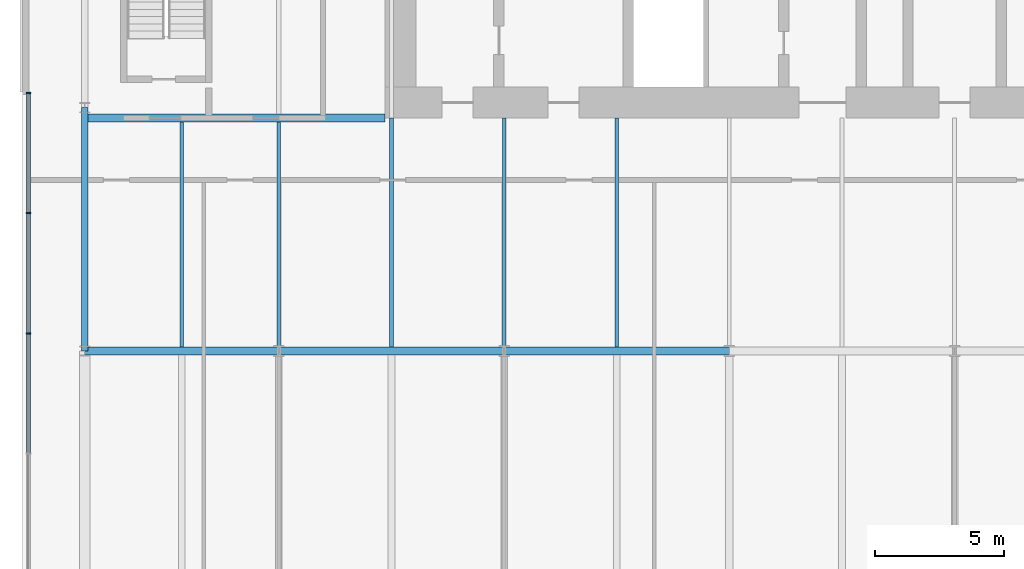
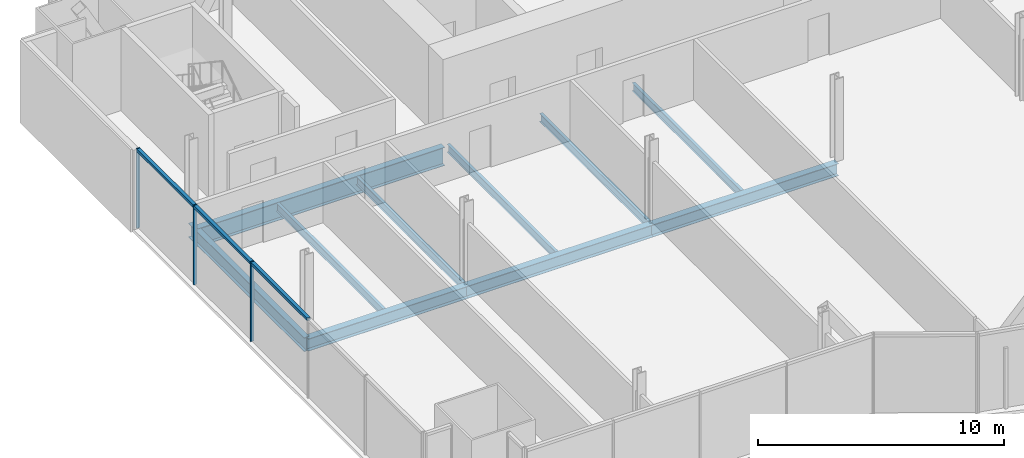
# One storey, part 6 of 21: 10 beams, 6 members, 1 element without a shape of its own.
"""IFC4 building model written with IfcOpenShell, lengths in metres."""

from ifc_helpers import new_model, si_unit, direction, frame, origin, origin_2d, place, context, subcontext, project, spatial, rectangle, i_section, extrude, material, material_profile, profile_set, type_object, element, aggregate, save


model = new_model("IFC4")

# Units and contexts
model_context = context("Model", 3, precision=1e-05, world=origin(), true_north=direction((0.0, 1.0)))
body_context = subcontext(model_context, "Body", "Model", "MODEL_VIEW")
ifc_project = project(units=[si_unit("LENGTHUNIT", "METRE"), si_unit("AREAUNIT", "SQUARE_METRE"), si_unit("VOLUMEUNIT", "CUBIC_METRE"), si_unit("PLANEANGLEUNIT", "RADIAN"), si_unit("MASSUNIT", "GRAM", prefix="KILO")], contexts=[model_context])

# Site, building, storey
site_placement = place(None, origin())
site = spatial("IfcSite", under=ifc_project, at=site_placement, CompositionType="ELEMENT")
building_placement = place(site_placement, origin())
building = spatial("IfcBuilding", under=site, at=building_placement, Name="Bicima Exchange Tower", CompositionType="ELEMENT")
storey_placement = place(building_placement, frame((0.0, 0.0, 98.10009765625)))
storey = spatial("IfcBuildingStorey", under=building, at=storey_placement, Name="L20", CompositionType="ELEMENT", Elevation=98.10009765625)

# Beam
ifc_material_1 = material(Name="Steel ASTM A992 Gr 50", Category="steel")
ifc_material_profile_1 = material_profile(ifc_material_1, i_section(OverallWidth=0.3046875, OverallDepth=0.911865234375, WebThickness=0.015869140625, FlangeThickness=0.02392578125, at=origin_2d()))
ifc_profile_set_1 = profile_set([ifc_material_profile_1], Name="Steel ASTM A992 Gr 50")
beam_type_1 = type_object("IfcBeamType", Name="Core-line girder W36x150", PredefinedType="BEAM", material=ifc_profile_set_1)
beam_1_placement = place(storey_placement, frame((-22.0, -13.0, -0.60595703125), z_axis=(-1.0, 0.0, 0.0), x_axis=(0.0, -1.0, 0.0)))
element("IfcBeam", 1, at=beam_1_placement, inside=storey, type_object=beam_type_1, Name="Core-line girder", PredefinedType="BEAM", context=body_context, shape_type="SweptSolid", body=[
    extrude(i_section(OverallWidth=0.3046875, OverallDepth=0.911865234375, WebThickness=0.015869140625, FlangeThickness=0.02392578125, at=origin_2d()), origin(), (0.0, 0.0, 1.0), 11.60009765625),
])

# Curtain wall, members
ifc_material_2 = material(Name="Anodised bronze aluminium", Category="aluminium")
curtain_wall_type = type_object("IfcCurtainWallType", Name="End face glass wall", PredefinedType="NOTDEFINED", material=ifc_material_2)
curtain_wall_placement = place(storey_placement, origin())
curtain_wall = element("IfcCurtainWall", 2, at=curtain_wall_placement, inside=storey, type_object=curtain_wall_type, Name="End face glass wall L20 run 2", PredefinedType="NOTDEFINED")
ifc_material_profile_2 = material_profile(ifc_material_2, rectangle(XDim=0.159912109375, YDim=0.06005859375, at=origin_2d()))
ifc_profile_set_2 = profile_set([ifc_material_profile_2], Name="Anodised bronze aluminium")
member_type_1 = type_object("IfcMemberType", Name="End face glass wall mullion 60 x 160", PredefinedType="MULLION", material=ifc_profile_set_2)
member_1_placement = place(storey_placement, frame((-35.77001953125, -12.030029296875, 0.0), z_axis=(0.0, 0.0, 1.0), x_axis=(1.0, 0.0, 0.0)))
member_1 = element("IfcMember", 3, at=member_1_placement, type_object=member_type_1, Name="End face glass wall mullion 1", PredefinedType="MULLION", context=body_context, shape_type="SweptSolid", body=[
    extrude(rectangle(XDim=0.159912109375, YDim=0.06005859375, at=origin_2d()), origin(), (0.0, 0.0, 1.0), 3.949951171875),
])
member_2_placement = place(storey_placement, frame((-35.77001953125, -16.6728515625, 0.0), z_axis=(0.0, 0.0, 1.0), x_axis=(1.0, 0.0, 0.0)))
member_2 = element("IfcMember", 4, at=member_2_placement, type_object=member_type_1, Name="End face glass wall mullion 2", PredefinedType="MULLION", context=body_context, shape_type="SweptSolid", body=[
    extrude(rectangle(XDim=0.159912109375, YDim=0.06005859375, at=origin_2d()), origin(), (0.0, 0.0, 1.0), 3.949951171875),
])
member_3_placement = place(storey_placement, frame((-35.77001953125, -21.315673828125, 0.0), z_axis=(0.0, 0.0, 1.0), x_axis=(1.0, 0.0, 0.0)))
member_3 = element("IfcMember", 5, at=member_3_placement, type_object=member_type_1, Name="End face glass wall mullion 3", PredefinedType="MULLION", context=body_context, shape_type="SweptSolid", body=[
    extrude(rectangle(XDim=0.159912109375, YDim=0.06005859375, at=origin_2d()), origin(), (0.0, 0.0, 1.0), 3.949951171875),
])
ifc_material_profile_3 = material_profile(ifc_material_2, rectangle(XDim=0.159912109375, YDim=0.139892578125, at=origin_2d()))
ifc_profile_set_3 = profile_set([ifc_material_profile_3], Name="Anodised bronze aluminium")
member_type_2 = type_object("IfcMemberType", Name="End face glass wall transom 140 x 160", PredefinedType="USERDEFINED", material=ifc_profile_set_3)
member_4_placement = place(storey_placement, frame((-35.77001953125, -12.06005859375, 3.8798828125), z_axis=(0.0, -1.0, 0.0), x_axis=(1.0, 0.0, 0.0)))
member_4 = element("IfcMember", 6, at=member_4_placement, type_object=member_type_2, Name="End face glass wall transom 1.1", ObjectType="TRANSOM", PredefinedType="USERDEFINED", context=body_context, shape_type="SweptSolid", body=[
    extrude(rectangle(XDim=0.159912109375, YDim=0.139892578125, at=origin_2d()), origin(), (0.0, 0.0, 1.0), 4.582763671875),
])
member_5_placement = place(storey_placement, frame((-35.77001953125, -16.702880859375, 3.8798828125), z_axis=(0.0, -1.0, 0.0), x_axis=(1.0, 0.0, 0.0)))
member_5 = element("IfcMember", 7, at=member_5_placement, type_object=member_type_2, Name="End face glass wall transom 2.1", ObjectType="TRANSOM", PredefinedType="USERDEFINED", context=body_context, shape_type="SweptSolid", body=[
    extrude(rectangle(XDim=0.159912109375, YDim=0.139892578125, at=origin_2d()), origin(), (0.0, 0.0, 1.0), 4.582763671875),
])
member_6_placement = place(storey_placement, frame((-35.77001953125, -21.345703125, 3.8798828125), z_axis=(0.0, -1.0, 0.0), x_axis=(1.0, 0.0, 0.0)))
member_6 = element("IfcMember", 8, at=member_6_placement, type_object=member_type_2, Name="End face glass wall transom 3.1", ObjectType="TRANSOM", PredefinedType="USERDEFINED", context=body_context, shape_type="SweptSolid", body=[
    extrude(rectangle(XDim=0.159912109375, YDim=0.139892578125, at=origin_2d()), origin(), (0.0, 0.0, 1.0), 4.582763671875),
])
aggregate(curtain_wall, [member_1, member_2, member_3, member_4, member_5, member_6])

# Beams
ifc_material_profile_4 = material_profile(ifc_material_1, i_section(OverallWidth=0.256591796875, OverallDepth=0.693359375, WebThickness=0.014404296875, FlangeThickness=0.023681640625, at=origin_2d()))
ifc_profile_set_4 = profile_set([ifc_material_profile_4], Name="Steel ASTM A992 Gr 50")
beam_type_2 = type_object("IfcBeamType", Name="End girder W27x114", PredefinedType="BEAM", material=ifc_profile_set_4)
beam_2_placement = place(storey_placement, frame((-33.60009765625, -12.60009765625, -0.496826171875), z_axis=(0.0, -1.0, 0.0), x_axis=(1.0, 0.0, 0.0)))
element("IfcBeam", 9, at=beam_2_placement, inside=storey, type_object=beam_type_2, Name="End girder", PredefinedType="BEAM", context=body_context, shape_type="SweptSolid", body=[
    extrude(i_section(OverallWidth=0.256591796875, OverallDepth=0.693359375, WebThickness=0.014404296875, FlangeThickness=0.023681640625, at=origin_2d()), origin(), (0.0, 0.0, 1.0), 9.39990234375),
])
ifc_material_profile_5 = material_profile(ifc_material_1, i_section(OverallWidth=0.140380859375, OverallDepth=0.40380859375, WebThickness=0.007080078125, FlangeThickness=0.01123046875, at=origin_2d()))
ifc_profile_set_5 = profile_set([ifc_material_profile_5], Name="Steel ASTM A992 Gr 50")
beam_type_3 = type_object("IfcBeamType", Name="Floor beam W16x31", PredefinedType="JOIST", material=ifc_profile_set_5)
for number, where, z_axis, x_axis, name in (
    (10, (-29.85009765625, -13.15234375, -0.35205078125), (0.0, -1.0, 0.0), (1.0, 0.0, 0.0), "Floor beam"),
    (11, (-26.10009765625, -13.15234375, -0.35205078125), (0.0, -1.0, 0.0), (1.0, 0.0, 0.0), "Floor beam"),
):
    element("IfcBeam", number, at=place(storey_placement, frame(where, z_axis=z_axis, x_axis=x_axis)), inside=storey, type_object=beam_type_3, Name=name, PredefinedType="JOIST", context=body_context, shape_type="SweptSolid", body=[
        extrude(i_section(OverallWidth=0.140380859375, OverallDepth=0.40380859375, WebThickness=0.007080078125, FlangeThickness=0.01123046875, at=origin_2d()), origin(), (0.0, 0.0, 1.0), 8.68505859375),
    ])
for number, where, z_axis, x_axis, name in (
    (12, (-21.75, -13.0, -0.35205078125), (0.0, -1.0, 0.0), (1.0, 0.0, 0.0), "Floor beam"),
    (13, (-17.39990234375, -13.0, -0.35205078125), (0.0, -1.0, 0.0), (1.0, 0.0, 0.0), "Floor beam"),
    (14, (-13.050048828125, -13.0, -0.35205078125), (0.0, -1.0, 0.0), (1.0, 0.0, 0.0), "Floor beam"),
):
    element("IfcBeam", number, at=place(storey_placement, frame(where, z_axis=z_axis, x_axis=x_axis)), inside=storey, type_object=beam_type_3, Name=name, PredefinedType="JOIST", context=body_context, shape_type="SweptSolid", body=[
        extrude(i_section(OverallWidth=0.140380859375, OverallDepth=0.40380859375, WebThickness=0.007080078125, FlangeThickness=0.01123046875, at=origin_2d()), origin(), (0.0, 0.0, 1.0), 8.83740234375),
    ])
ifc_material_profile_6 = material_profile(ifc_material_1, i_section(OverallWidth=0.3251953125, OverallDepth=0.612060546875, WebThickness=0.0126953125, FlangeThickness=0.01904296875, at=origin_2d()))
ifc_profile_set_6 = profile_set([ifc_material_profile_6], Name="Steel ASTM A992 Gr 50")
beam_type_4 = type_object("IfcBeamType", Name="Row girder W24x104", PredefinedType="BEAM", material=ifc_profile_set_6)
beam_3_placement = place(storey_placement, frame((-33.60009765625, -22.0, -0.456298828125), z_axis=(1.0, 0.0, 0.0), x_axis=(0.0, 1.0, 0.0)))
element("IfcBeam", 15, at=beam_3_placement, inside=storey, type_object=beam_type_4, Name="Row girder", PredefinedType="BEAM", context=body_context, shape_type="SweptSolid", body=[
    extrude(i_section(OverallWidth=0.3251953125, OverallDepth=0.612060546875, WebThickness=0.0126953125, FlangeThickness=0.01904296875, at=origin_2d()), origin(), (0.0, 0.0, 1.0), 7.5),
])
beam_4_placement = place(storey_placement, frame((-26.10009765625, -22.0, -0.456298828125), z_axis=(1.0, 0.0, 0.0), x_axis=(0.0, 1.0, 0.0)))
element("IfcBeam", 16, at=beam_4_placement, inside=storey, type_object=beam_type_4, Name="Row girder", PredefinedType="BEAM", context=body_context, shape_type="SweptSolid", body=[
    extrude(i_section(OverallWidth=0.3251953125, OverallDepth=0.612060546875, WebThickness=0.0126953125, FlangeThickness=0.01904296875, at=origin_2d()), origin(), (0.0, 0.0, 1.0), 8.7001953125),
])
beam_5_placement = place(storey_placement, frame((-17.39990234375, -22.0, -0.456298828125), z_axis=(1.0, 0.0, 0.0), x_axis=(0.0, 1.0, 0.0)))
element("IfcBeam", 17, at=beam_5_placement, inside=storey, type_object=beam_type_4, Name="Row girder", PredefinedType="BEAM", context=body_context, shape_type="SweptSolid", body=[
    extrude(i_section(OverallWidth=0.3251953125, OverallDepth=0.612060546875, WebThickness=0.0126953125, FlangeThickness=0.01904296875, at=origin_2d()), origin(), (0.0, 0.0, 1.0), 8.699951171875),
])

save(model, "model.ifc")
